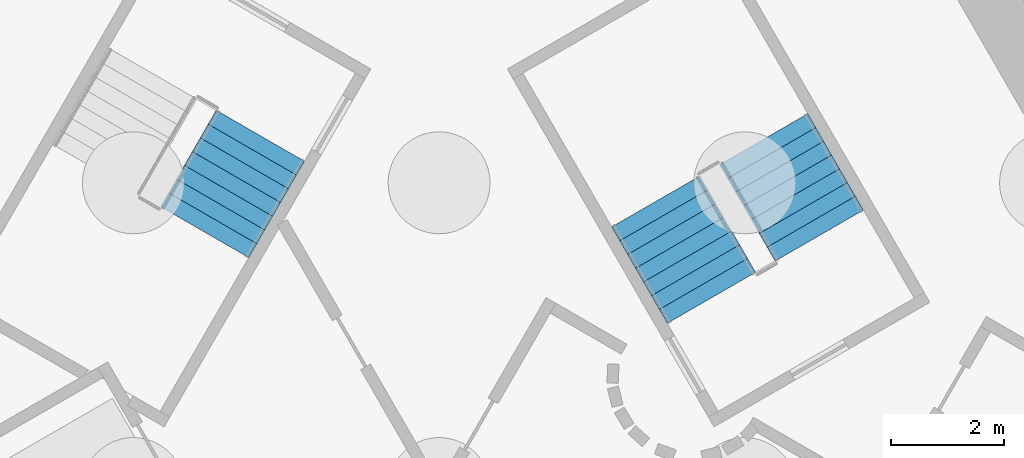
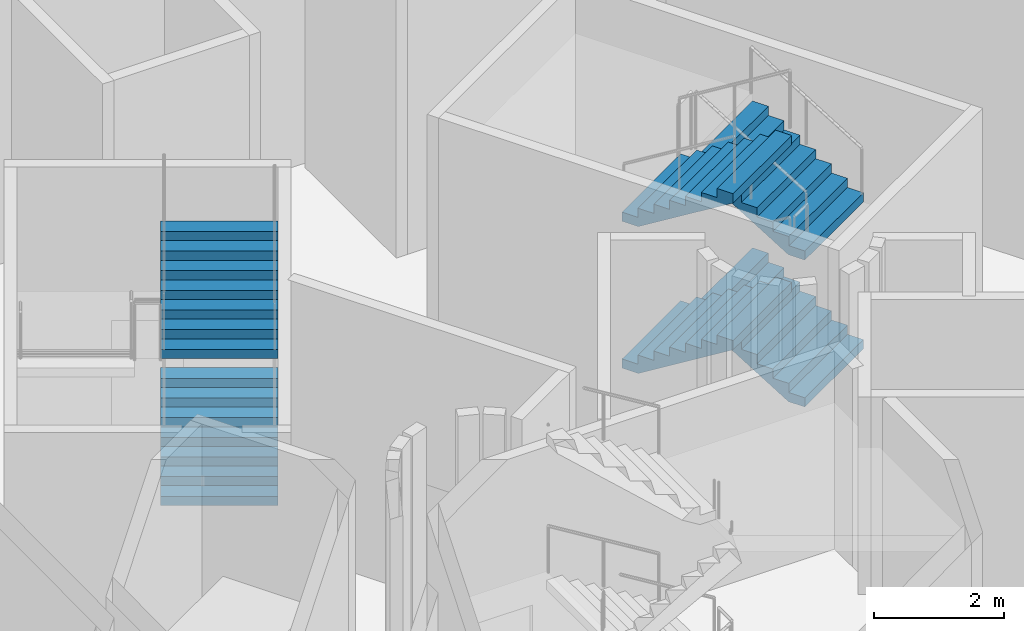
# One storey, part 12 of 14: 6 stair flights, 2 elements without a shape of their own.
"""IFC4 building model written with IfcOpenShell, lengths in metres."""

from ifc_helpers import new_model, si_unit, direction, frame, origin, place, context, subcontext, project, spatial, triangles, material, type_object, element, aggregate, save


model = new_model("IFC4")

# Units and contexts
model_context = context("Model", 3, precision=1e-05, world=origin(), true_north=direction((0.0, 1.0)))
body_context = subcontext(model_context, "Body", "Model", "MODEL_VIEW")
ifc_project = project(units=[si_unit("LENGTHUNIT", "METRE"), si_unit("AREAUNIT", "SQUARE_METRE"), si_unit("VOLUMEUNIT", "CUBIC_METRE"), si_unit("PLANEANGLEUNIT", "RADIAN"), si_unit("MASSUNIT", "GRAM", prefix="KILO")], contexts=[model_context])

# Site, building, storey
site_placement = place(None, origin())
site = spatial("IfcSite", under=ifc_project, at=site_placement, CompositionType="ELEMENT")
building_placement = place(site_placement, origin())
building = spatial("IfcBuilding", under=site, at=building_placement, Name="Entoto Arch Interchange Tower", CompositionType="ELEMENT")
storey_placement = place(building_placement, frame((0.0, 0.0, -16.5)))
storey = spatial("IfcBuildingStorey", under=building, at=storey_placement, Name="B3", CompositionType="ELEMENT", Elevation=-16.5)

# Stair, stair flights
ifc_material = material(Name="Concrete C40/50", Category="concrete")
stair_type = type_object("IfcStairType", Name="EXIT STAIR RC 1800", PredefinedType="HALF_TURN_STAIR", material=ifc_material)
stair_1_placement = place(storey_placement, origin())
stair_1 = element("IfcStair", 1, at=stair_1_placement, inside=storey, type_object=stair_type, Name="B3 Exit stair NE", PredefinedType="HALF_TURN_STAIR")
stair_flight_type = type_object("IfcStairFlightType", Name="EXIT STAIR FLIGHT RC 1800", PredefinedType="STRAIGHT", material=ifc_material)
stair_flight_1_placement = place(storey_placement, frame((6.7138671875, 4.470947265625, 0.0), z_axis=(0.0, 0.0, 1.0), x_axis=(-0.5, 0.866025403784, 0.0)))
stair_flight_1 = element("IfcStairFlight", 2, at=stair_flight_1_placement, type_object=stair_flight_type, Name="ST-NE flight 1", NumberOfRisers=8, NumberOfTreads=7, PredefinedType="STRAIGHT", RiserHeight=0.171875, TreadLength=0.28, context=body_context, shape_type="Tessellation", body=[
    triangles([(-0.003, -0.900024, 0.0), (-0.003, -0.900024, 0.171875), (0.28, -0.900024, 0.171875), (0.28, -0.900024, 0.34375), (0.56, -0.900024, 0.34375), (0.56, -0.900024, 0.515625), (0.84, -0.900024, 0.515625), (0.84, -0.900024, 0.6875), (1.12, -0.900024, 0.6875), (1.12, -0.900024, 0.859375), (1.4, -0.900024, 0.859375), (1.4, -0.900024, 1.03125), (1.68, -0.900024, 1.03125), (1.68, -0.900024, 1.203125), (1.96, -0.900024, 1.203125), (1.963, -0.900024, 1.203125), (1.963, -0.900024, 1.029076), (0.286542, -0.900024, 0.0), (-0.003, 0.900024, 0.0), (-0.003, 0.900024, 0.171875), (0.28, 0.900024, 0.171875), (0.28, 0.900024, 0.34375), (0.56, 0.900024, 0.34375), (0.56, 0.900024, 0.515625), (0.84, 0.900024, 0.515625), (0.84, 0.900024, 0.6875), (1.12, 0.900024, 0.6875), (1.12, 0.900024, 0.859375), (1.4, 0.900024, 0.859375), (1.4, 0.900024, 1.03125), (1.68, 0.900024, 1.03125), (1.68, 0.900024, 1.203125), (1.96, 0.900024, 1.203125), (1.963, 0.900024, 1.203125), (1.963, 0.900024, 1.029076), (0.286542, 0.900024, 0.0), (-0.003, -0.450012, 0.0), (-0.003, -0.450012, 0.171875), (-0.003, 0.0, 0.0), (-0.003, 0.0, 0.171875), (-0.003, 0.450012, 0.0), (-0.003, 0.450012, 0.171875), (0.28, -0.450012, 0.171875), (0.28, 0.0, 0.171875), (0.28, 0.450012, 0.171875), (0.28, -0.450012, 0.34375), (0.28, 0.0, 0.34375), (0.28, 0.450012, 0.34375), (0.56, -0.450012, 0.34375), (0.56, 0.0, 0.34375), (0.56, 0.450012, 0.34375), (0.56, -0.450012, 0.515625), (0.56, 0.0, 0.515625), (0.56, 0.450012, 0.515625), (0.84, -0.450012, 0.515625), (0.84, 0.0, 0.515625), (0.84, 0.450012, 0.515625), (0.84, -0.450012, 0.6875), (0.84, 0.0, 0.6875), (0.84, 0.450012, 0.6875), (1.12, -0.450012, 0.6875), (1.12, 0.0, 0.6875), (1.12, 0.450012, 0.6875), (1.12, -0.450012, 0.859375), (1.12, 0.0, 0.859375), (1.12, 0.450012, 0.859375), (1.4, -0.450012, 0.859375), (1.4, 0.0, 0.859375), (1.4, 0.450012, 0.859375), (1.4, -0.450012, 1.03125), (1.4, 0.0, 1.03125), (1.4, 0.450012, 1.03125), (1.68, -0.450012, 1.03125), (1.68, 0.0, 1.03125), (1.68, 0.450012, 1.03125), (1.68, -0.450012, 1.203125), (1.68, 0.0, 1.203125), (1.68, 0.450012, 1.203125), (1.96, -0.450012, 1.203125), (1.96, 0.0, 1.203125), (1.96, 0.450012, 1.203125), (1.963, -0.450012, 1.203125), (1.963, 0.0, 1.203125), (1.963, 0.450012, 1.203125), (1.963, -0.450012, 1.029076), (1.963, 0.0, 1.029076), (1.963, 0.450012, 1.029076), (0.286542, -0.450012, 0.0), (0.286542, 0.0, 0.0), (0.286542, 0.450012, 0.0)], [[1, 18, 17], [17, 16, 15], [17, 15, 14], [17, 14, 13], [17, 13, 12], [17, 12, 11], [11, 10, 9], [17, 11, 9], [9, 8, 7], [17, 9, 7], [7, 6, 5], [17, 7, 5], [5, 4, 3], [17, 5, 3], [1, 17, 3], [3, 2, 1], [19, 35, 36], [35, 33, 34], [35, 32, 33], [35, 31, 32], [35, 30, 31], [35, 29, 30], [29, 27, 28], [35, 27, 29], [27, 25, 26], [35, 25, 27], [25, 23, 24], [35, 23, 25], [23, 21, 22], [35, 21, 23], [19, 21, 35], [21, 19, 20], [1, 2, 38], [1, 38, 37], [37, 38, 40], [37, 40, 39], [39, 40, 42], [39, 42, 41], [41, 42, 20], [41, 20, 19], [2, 3, 43], [2, 43, 38], [38, 43, 44], [38, 44, 40], [40, 44, 45], [40, 45, 42], [42, 45, 21], [42, 21, 20], [3, 4, 46], [3, 46, 43], [43, 46, 47], [43, 47, 44], [44, 47, 48], [44, 48, 45], [45, 48, 22], [45, 22, 21], [4, 5, 49], [4, 49, 46], [46, 49, 50], [46, 50, 47], [47, 50, 51], [47, 51, 48], [48, 51, 23], [48, 23, 22], [5, 6, 52], [5, 52, 49], [49, 52, 53], [49, 53, 50], [50, 53, 54], [50, 54, 51], [51, 54, 24], [51, 24, 23], [6, 7, 55], [6, 55, 52], [52, 55, 56], [52, 56, 53], [53, 56, 57], [53, 57, 54], [54, 57, 25], [54, 25, 24], [7, 8, 58], [7, 58, 55], [55, 58, 59], [55, 59, 56], [56, 59, 60], [56, 60, 57], [57, 60, 26], [57, 26, 25], [8, 9, 61], [8, 61, 58], [58, 61, 62], [58, 62, 59], [59, 62, 63], [59, 63, 60], [60, 63, 27], [60, 27, 26], [9, 10, 64], [9, 64, 61], [61, 64, 65], [61, 65, 62], [62, 65, 66], [62, 66, 63], [63, 66, 28], [63, 28, 27], [10, 11, 67], [10, 67, 64], [64, 67, 68], [64, 68, 65], [65, 68, 69], [65, 69, 66], [66, 69, 29], [66, 29, 28], [11, 12, 70], [11, 70, 67], [67, 70, 71], [67, 71, 68], [68, 71, 72], [68, 72, 69], [69, 72, 30], [69, 30, 29], [12, 13, 73], [12, 73, 70], [70, 73, 74], [70, 74, 71], [71, 74, 75], [71, 75, 72], [72, 75, 31], [72, 31, 30], [13, 14, 76], [13, 76, 73], [73, 76, 77], [73, 77, 74], [74, 77, 78], [74, 78, 75], [75, 78, 32], [75, 32, 31], [14, 15, 79], [14, 79, 76], [76, 79, 80], [76, 80, 77], [77, 80, 81], [77, 81, 78], [78, 81, 33], [78, 33, 32], [15, 16, 82], [15, 82, 79], [79, 82, 83], [79, 83, 80], [80, 83, 84], [80, 84, 81], [81, 84, 34], [81, 34, 33], [16, 17, 85], [16, 85, 82], [82, 85, 86], [82, 86, 83], [83, 86, 87], [83, 87, 84], [84, 87, 35], [84, 35, 34], [17, 18, 88], [17, 88, 85], [85, 88, 89], [85, 89, 86], [86, 89, 90], [86, 90, 87], [87, 90, 36], [87, 36, 35], [18, 1, 37], [18, 37, 88], [88, 37, 39], [88, 39, 89], [89, 39, 41], [89, 41, 90], [90, 41, 19], [90, 19, 36]], closed=True),
])
stair_flight_2_placement = place(storey_placement, frame((3.82861328125, 5.068359375, 1.375), z_axis=(0.0, 0.0, 1.0), x_axis=(0.5, -0.866025403784, 0.0)))
stair_flight_2 = element("IfcStairFlight", 3, at=stair_flight_2_placement, type_object=stair_flight_type, Name="ST-NE flight 2", NumberOfRisers=8, NumberOfTreads=7, PredefinedType="STRAIGHT", RiserHeight=0.171875, TreadLength=0.28, context=body_context, shape_type="Tessellation", body=[
    triangles([(-0.003, -0.900024, 0.0), (-0.003, -0.900024, 0.171875), (0.28, -0.900024, 0.171875), (0.28, -0.900024, 0.34375), (0.56, -0.900024, 0.34375), (0.56, -0.900024, 0.515625), (0.84, -0.900024, 0.515625), (0.84, -0.900024, 0.6875), (1.12, -0.900024, 0.6875), (1.12, -0.900024, 0.859375), (1.4, -0.900024, 0.859375), (1.4, -0.900024, 1.03125), (1.68, -0.900024, 1.03125), (1.68, -0.900024, 1.203125), (1.96, -0.900024, 1.203125), (1.963, -0.900024, 1.203125), (1.963, -0.900024, 1.029076), (0.286542, -0.900024, 0.0), (-0.003, 0.900024, 0.0), (-0.003, 0.900024, 0.171875), (0.28, 0.900024, 0.171875), (0.28, 0.900024, 0.34375), (0.56, 0.900024, 0.34375), (0.56, 0.900024, 0.515625), (0.84, 0.900024, 0.515625), (0.84, 0.900024, 0.6875), (1.12, 0.900024, 0.6875), (1.12, 0.900024, 0.859375), (1.4, 0.900024, 0.859375), (1.4, 0.900024, 1.03125), (1.68, 0.900024, 1.03125), (1.68, 0.900024, 1.203125), (1.96, 0.900024, 1.203125), (1.963, 0.900024, 1.203125), (1.963, 0.900024, 1.029076), (0.286542, 0.900024, 0.0), (-0.003, -0.450012, 0.0), (-0.003, -0.450012, 0.171875), (-0.003, 0.0, 0.0), (-0.003, 0.0, 0.171875), (-0.003, 0.450012, 0.0), (-0.003, 0.450012, 0.171875), (0.28, -0.450012, 0.171875), (0.28, 0.0, 0.171875), (0.28, 0.450012, 0.171875), (0.28, -0.450012, 0.34375), (0.28, 0.0, 0.34375), (0.28, 0.450012, 0.34375), (0.56, -0.450012, 0.34375), (0.56, 0.0, 0.34375), (0.56, 0.450012, 0.34375), (0.56, -0.450012, 0.515625), (0.56, 0.0, 0.515625), (0.56, 0.450012, 0.515625), (0.84, -0.450012, 0.515625), (0.84, 0.0, 0.515625), (0.84, 0.450012, 0.515625), (0.84, -0.450012, 0.6875), (0.84, 0.0, 0.6875), (0.84, 0.450012, 0.6875), (1.12, -0.450012, 0.6875), (1.12, 0.0, 0.6875), (1.12, 0.450012, 0.6875), (1.12, -0.450012, 0.859375), (1.12, 0.0, 0.859375), (1.12, 0.450012, 0.859375), (1.4, -0.450012, 0.859375), (1.4, 0.0, 0.859375), (1.4, 0.450012, 0.859375), (1.4, -0.450012, 1.03125), (1.4, 0.0, 1.03125), (1.4, 0.450012, 1.03125), (1.68, -0.450012, 1.03125), (1.68, 0.0, 1.03125), (1.68, 0.450012, 1.03125), (1.68, -0.450012, 1.203125), (1.68, 0.0, 1.203125), (1.68, 0.450012, 1.203125), (1.96, -0.450012, 1.203125), (1.96, 0.0, 1.203125), (1.96, 0.450012, 1.203125), (1.963, -0.450012, 1.203125), (1.963, 0.0, 1.203125), (1.963, 0.450012, 1.203125), (1.963, -0.450012, 1.029076), (1.963, 0.0, 1.029076), (1.963, 0.450012, 1.029076), (0.286542, -0.450012, 0.0), (0.286542, 0.0, 0.0), (0.286542, 0.450012, 0.0)], [[1, 18, 17], [17, 16, 15], [17, 15, 14], [17, 14, 13], [17, 13, 12], [17, 12, 11], [11, 10, 9], [17, 11, 9], [9, 8, 7], [17, 9, 7], [7, 6, 5], [17, 7, 5], [5, 4, 3], [17, 5, 3], [1, 17, 3], [3, 2, 1], [19, 35, 36], [35, 33, 34], [35, 32, 33], [35, 31, 32], [35, 30, 31], [35, 29, 30], [29, 27, 28], [35, 27, 29], [27, 25, 26], [35, 25, 27], [25, 23, 24], [35, 23, 25], [23, 21, 22], [35, 21, 23], [19, 21, 35], [21, 19, 20], [1, 2, 38], [1, 38, 37], [37, 38, 40], [37, 40, 39], [39, 40, 42], [39, 42, 41], [41, 42, 20], [41, 20, 19], [2, 3, 43], [2, 43, 38], [38, 43, 44], [38, 44, 40], [40, 44, 45], [40, 45, 42], [42, 45, 21], [42, 21, 20], [3, 4, 46], [3, 46, 43], [43, 46, 47], [43, 47, 44], [44, 47, 48], [44, 48, 45], [45, 48, 22], [45, 22, 21], [4, 5, 49], [4, 49, 46], [46, 49, 50], [46, 50, 47], [47, 50, 51], [47, 51, 48], [48, 51, 23], [48, 23, 22], [5, 6, 52], [5, 52, 49], [49, 52, 53], [49, 53, 50], [50, 53, 54], [50, 54, 51], [51, 54, 24], [51, 24, 23], [6, 7, 55], [6, 55, 52], [52, 55, 56], [52, 56, 53], [53, 56, 57], [53, 57, 54], [54, 57, 25], [54, 25, 24], [7, 8, 58], [7, 58, 55], [55, 58, 59], [55, 59, 56], [56, 59, 60], [56, 60, 57], [57, 60, 26], [57, 26, 25], [8, 9, 61], [8, 61, 58], [58, 61, 62], [58, 62, 59], [59, 62, 63], [59, 63, 60], [60, 63, 27], [60, 27, 26], [9, 10, 64], [9, 64, 61], [61, 64, 65], [61, 65, 62], [62, 65, 66], [62, 66, 63], [63, 66, 28], [63, 28, 27], [10, 11, 67], [10, 67, 64], [64, 67, 68], [64, 68, 65], [65, 68, 69], [65, 69, 66], [66, 69, 29], [66, 29, 28], [11, 12, 70], [11, 70, 67], [67, 70, 71], [67, 71, 68], [68, 71, 72], [68, 72, 69], [69, 72, 30], [69, 30, 29], [12, 13, 73], [12, 73, 70], [70, 73, 74], [70, 74, 71], [71, 74, 75], [71, 75, 72], [72, 75, 31], [72, 31, 30], [13, 14, 76], [13, 76, 73], [73, 76, 77], [73, 77, 74], [74, 77, 78], [74, 78, 75], [75, 78, 32], [75, 32, 31], [14, 15, 79], [14, 79, 76], [76, 79, 80], [76, 80, 77], [77, 80, 81], [77, 81, 78], [78, 81, 33], [78, 33, 32], [15, 16, 82], [15, 82, 79], [79, 82, 83], [79, 83, 80], [80, 83, 84], [80, 84, 81], [81, 84, 34], [81, 34, 33], [16, 17, 85], [16, 85, 82], [82, 85, 86], [82, 86, 83], [83, 86, 87], [83, 87, 84], [84, 87, 35], [84, 35, 34], [17, 18, 88], [17, 88, 85], [85, 88, 89], [85, 89, 86], [86, 89, 90], [86, 90, 87], [87, 90, 36], [87, 36, 35], [18, 1, 37], [18, 37, 88], [88, 37, 39], [88, 39, 89], [89, 39, 41], [89, 41, 90], [90, 41, 19], [90, 19, 36]], closed=True),
])
stair_flight_3_placement = place(storey_placement, frame((6.7138671875, 4.470947265625, 2.75), z_axis=(0.0, 0.0, 1.0), x_axis=(-0.5, 0.866025403784, 0.0)))
stair_flight_3 = element("IfcStairFlight", 4, at=stair_flight_3_placement, type_object=stair_flight_type, Name="ST-NE flight 3", NumberOfRisers=8, NumberOfTreads=7, PredefinedType="STRAIGHT", RiserHeight=0.171875, TreadLength=0.28, context=body_context, shape_type="Tessellation", body=[
    triangles([(-0.003, -0.900024, 0.0), (-0.003, -0.900024, 0.171875), (0.28, -0.900024, 0.171875), (0.28, -0.900024, 0.34375), (0.56, -0.900024, 0.34375), (0.56, -0.900024, 0.515625), (0.84, -0.900024, 0.515625), (0.84, -0.900024, 0.6875), (1.12, -0.900024, 0.6875), (1.12, -0.900024, 0.859375), (1.4, -0.900024, 0.859375), (1.4, -0.900024, 1.03125), (1.68, -0.900024, 1.03125), (1.68, -0.900024, 1.203125), (1.96, -0.900024, 1.203125), (1.963, -0.900024, 1.203125), (1.963, -0.900024, 1.029076), (0.286542, -0.900024, 0.0), (-0.003, 0.900024, 0.0), (-0.003, 0.900024, 0.171875), (0.28, 0.900024, 0.171875), (0.28, 0.900024, 0.34375), (0.56, 0.900024, 0.34375), (0.56, 0.900024, 0.515625), (0.84, 0.900024, 0.515625), (0.84, 0.900024, 0.6875), (1.12, 0.900024, 0.6875), (1.12, 0.900024, 0.859375), (1.4, 0.900024, 0.859375), (1.4, 0.900024, 1.03125), (1.68, 0.900024, 1.03125), (1.68, 0.900024, 1.203125), (1.96, 0.900024, 1.203125), (1.963, 0.900024, 1.203125), (1.963, 0.900024, 1.029076), (0.286542, 0.900024, 0.0), (-0.003, -0.450012, 0.0), (-0.003, -0.450012, 0.171875), (-0.003, 0.0, 0.0), (-0.003, 0.0, 0.171875), (-0.003, 0.450012, 0.0), (-0.003, 0.450012, 0.171875), (0.28, -0.450012, 0.171875), (0.28, 0.0, 0.171875), (0.28, 0.450012, 0.171875), (0.28, -0.450012, 0.34375), (0.28, 0.0, 0.34375), (0.28, 0.450012, 0.34375), (0.56, -0.450012, 0.34375), (0.56, 0.0, 0.34375), (0.56, 0.450012, 0.34375), (0.56, -0.450012, 0.515625), (0.56, 0.0, 0.515625), (0.56, 0.450012, 0.515625), (0.84, -0.450012, 0.515625), (0.84, 0.0, 0.515625), (0.84, 0.450012, 0.515625), (0.84, -0.450012, 0.6875), (0.84, 0.0, 0.6875), (0.84, 0.450012, 0.6875), (1.12, -0.450012, 0.6875), (1.12, 0.0, 0.6875), (1.12, 0.450012, 0.6875), (1.12, -0.450012, 0.859375), (1.12, 0.0, 0.859375), (1.12, 0.450012, 0.859375), (1.4, -0.450012, 0.859375), (1.4, 0.0, 0.859375), (1.4, 0.450012, 0.859375), (1.4, -0.450012, 1.03125), (1.4, 0.0, 1.03125), (1.4, 0.450012, 1.03125), (1.68, -0.450012, 1.03125), (1.68, 0.0, 1.03125), (1.68, 0.450012, 1.03125), (1.68, -0.450012, 1.203125), (1.68, 0.0, 1.203125), (1.68, 0.450012, 1.203125), (1.96, -0.450012, 1.203125), (1.96, 0.0, 1.203125), (1.96, 0.450012, 1.203125), (1.963, -0.450012, 1.203125), (1.963, 0.0, 1.203125), (1.963, 0.450012, 1.203125), (1.963, -0.450012, 1.029076), (1.963, 0.0, 1.029076), (1.963, 0.450012, 1.029076), (0.286542, -0.450012, 0.0), (0.286542, 0.0, 0.0), (0.286542, 0.450012, 0.0)], [[1, 18, 17], [17, 16, 15], [17, 15, 14], [17, 14, 13], [17, 13, 12], [17, 12, 11], [11, 10, 9], [17, 11, 9], [9, 8, 7], [17, 9, 7], [7, 6, 5], [17, 7, 5], [5, 4, 3], [17, 5, 3], [1, 17, 3], [3, 2, 1], [19, 35, 36], [35, 33, 34], [35, 32, 33], [35, 31, 32], [35, 30, 31], [35, 29, 30], [29, 27, 28], [35, 27, 29], [27, 25, 26], [35, 25, 27], [25, 23, 24], [35, 23, 25], [23, 21, 22], [35, 21, 23], [19, 21, 35], [21, 19, 20], [1, 2, 38], [1, 38, 37], [37, 38, 40], [37, 40, 39], [39, 40, 42], [39, 42, 41], [41, 42, 20], [41, 20, 19], [2, 3, 43], [2, 43, 38], [38, 43, 44], [38, 44, 40], [40, 44, 45], [40, 45, 42], [42, 45, 21], [42, 21, 20], [3, 4, 46], [3, 46, 43], [43, 46, 47], [43, 47, 44], [44, 47, 48], [44, 48, 45], [45, 48, 22], [45, 22, 21], [4, 5, 49], [4, 49, 46], [46, 49, 50], [46, 50, 47], [47, 50, 51], [47, 51, 48], [48, 51, 23], [48, 23, 22], [5, 6, 52], [5, 52, 49], [49, 52, 53], [49, 53, 50], [50, 53, 54], [50, 54, 51], [51, 54, 24], [51, 24, 23], [6, 7, 55], [6, 55, 52], [52, 55, 56], [52, 56, 53], [53, 56, 57], [53, 57, 54], [54, 57, 25], [54, 25, 24], [7, 8, 58], [7, 58, 55], [55, 58, 59], [55, 59, 56], [56, 59, 60], [56, 60, 57], [57, 60, 26], [57, 26, 25], [8, 9, 61], [8, 61, 58], [58, 61, 62], [58, 62, 59], [59, 62, 63], [59, 63, 60], [60, 63, 27], [60, 27, 26], [9, 10, 64], [9, 64, 61], [61, 64, 65], [61, 65, 62], [62, 65, 66], [62, 66, 63], [63, 66, 28], [63, 28, 27], [10, 11, 67], [10, 67, 64], [64, 67, 68], [64, 68, 65], [65, 68, 69], [65, 69, 66], [66, 69, 29], [66, 29, 28], [11, 12, 70], [11, 70, 67], [67, 70, 71], [67, 71, 68], [68, 71, 72], [68, 72, 69], [69, 72, 30], [69, 30, 29], [12, 13, 73], [12, 73, 70], [70, 73, 74], [70, 74, 71], [71, 74, 75], [71, 75, 72], [72, 75, 31], [72, 31, 30], [13, 14, 76], [13, 76, 73], [73, 76, 77], [73, 77, 74], [74, 77, 78], [74, 78, 75], [75, 78, 32], [75, 32, 31], [14, 15, 79], [14, 79, 76], [76, 79, 80], [76, 80, 77], [77, 80, 81], [77, 81, 78], [78, 81, 33], [78, 33, 32], [15, 16, 82], [15, 82, 79], [79, 82, 83], [79, 83, 80], [80, 83, 84], [80, 84, 81], [81, 84, 34], [81, 34, 33], [16, 17, 85], [16, 85, 82], [82, 85, 86], [82, 86, 83], [83, 86, 87], [83, 87, 84], [84, 87, 35], [84, 35, 34], [17, 18, 88], [17, 88, 85], [85, 88, 89], [85, 89, 86], [86, 89, 90], [86, 90, 87], [87, 90, 36], [87, 36, 35], [18, 1, 37], [18, 37, 88], [88, 37, 39], [88, 39, 89], [89, 39, 41], [89, 41, 90], [90, 41, 19], [90, 19, 36]], closed=True),
])
stair_flight_4_placement = place(storey_placement, frame((3.82861328125, 5.068359375, 4.125), z_axis=(0.0, 0.0, 1.0), x_axis=(0.5, -0.866025403784, 0.0)))
stair_flight_4 = element("IfcStairFlight", 5, at=stair_flight_4_placement, type_object=stair_flight_type, Name="ST-NE flight 4", NumberOfRisers=8, NumberOfTreads=7, PredefinedType="STRAIGHT", RiserHeight=0.171875, TreadLength=0.28, context=body_context, shape_type="Tessellation", body=[
    triangles([(-0.003, -0.900024, 0.0), (-0.003, -0.900024, 0.171875), (0.28, -0.900024, 0.171875), (0.28, -0.900024, 0.34375), (0.56, -0.900024, 0.34375), (0.56, -0.900024, 0.515625), (0.84, -0.900024, 0.515625), (0.84, -0.900024, 0.6875), (1.12, -0.900024, 0.6875), (1.12, -0.900024, 0.859375), (1.4, -0.900024, 0.859375), (1.4, -0.900024, 1.03125), (1.68, -0.900024, 1.03125), (1.68, -0.900024, 1.203125), (1.96, -0.900024, 1.203125), (1.963, -0.900024, 1.203125), (1.963, -0.900024, 1.029076), (0.286542, -0.900024, 0.0), (-0.003, 0.900024, 0.0), (-0.003, 0.900024, 0.171875), (0.28, 0.900024, 0.171875), (0.28, 0.900024, 0.34375), (0.56, 0.900024, 0.34375), (0.56, 0.900024, 0.515625), (0.84, 0.900024, 0.515625), (0.84, 0.900024, 0.6875), (1.12, 0.900024, 0.6875), (1.12, 0.900024, 0.859375), (1.4, 0.900024, 0.859375), (1.4, 0.900024, 1.03125), (1.68, 0.900024, 1.03125), (1.68, 0.900024, 1.203125), (1.96, 0.900024, 1.203125), (1.963, 0.900024, 1.203125), (1.963, 0.900024, 1.029076), (0.286542, 0.900024, 0.0), (-0.003, -0.450012, 0.0), (-0.003, -0.450012, 0.171875), (-0.003, 0.0, 0.0), (-0.003, 0.0, 0.171875), (-0.003, 0.450012, 0.0), (-0.003, 0.450012, 0.171875), (0.28, -0.450012, 0.171875), (0.28, 0.0, 0.171875), (0.28, 0.450012, 0.171875), (0.28, -0.450012, 0.34375), (0.28, 0.0, 0.34375), (0.28, 0.450012, 0.34375), (0.56, -0.450012, 0.34375), (0.56, 0.0, 0.34375), (0.56, 0.450012, 0.34375), (0.56, -0.450012, 0.515625), (0.56, 0.0, 0.515625), (0.56, 0.450012, 0.515625), (0.84, -0.450012, 0.515625), (0.84, 0.0, 0.515625), (0.84, 0.450012, 0.515625), (0.84, -0.450012, 0.6875), (0.84, 0.0, 0.6875), (0.84, 0.450012, 0.6875), (1.12, -0.450012, 0.6875), (1.12, 0.0, 0.6875), (1.12, 0.450012, 0.6875), (1.12, -0.450012, 0.859375), (1.12, 0.0, 0.859375), (1.12, 0.450012, 0.859375), (1.4, -0.450012, 0.859375), (1.4, 0.0, 0.859375), (1.4, 0.450012, 0.859375), (1.4, -0.450012, 1.03125), (1.4, 0.0, 1.03125), (1.4, 0.450012, 1.03125), (1.68, -0.450012, 1.03125), (1.68, 0.0, 1.03125), (1.68, 0.450012, 1.03125), (1.68, -0.450012, 1.203125), (1.68, 0.0, 1.203125), (1.68, 0.450012, 1.203125), (1.96, -0.450012, 1.203125), (1.96, 0.0, 1.203125), (1.96, 0.450012, 1.203125), (1.963, -0.450012, 1.203125), (1.963, 0.0, 1.203125), (1.963, 0.450012, 1.203125), (1.963, -0.450012, 1.029076), (1.963, 0.0, 1.029076), (1.963, 0.450012, 1.029076), (0.286542, -0.450012, 0.0), (0.286542, 0.0, 0.0), (0.286542, 0.450012, 0.0)], [[1, 18, 17], [17, 16, 15], [17, 15, 14], [17, 14, 13], [17, 13, 12], [17, 12, 11], [11, 10, 9], [17, 11, 9], [9, 8, 7], [17, 9, 7], [7, 6, 5], [17, 7, 5], [5, 4, 3], [17, 5, 3], [1, 17, 3], [3, 2, 1], [19, 35, 36], [35, 33, 34], [35, 32, 33], [35, 31, 32], [35, 30, 31], [35, 29, 30], [29, 27, 28], [35, 27, 29], [27, 25, 26], [35, 25, 27], [25, 23, 24], [35, 23, 25], [23, 21, 22], [35, 21, 23], [19, 21, 35], [21, 19, 20], [1, 2, 38], [1, 38, 37], [37, 38, 40], [37, 40, 39], [39, 40, 42], [39, 42, 41], [41, 42, 20], [41, 20, 19], [2, 3, 43], [2, 43, 38], [38, 43, 44], [38, 44, 40], [40, 44, 45], [40, 45, 42], [42, 45, 21], [42, 21, 20], [3, 4, 46], [3, 46, 43], [43, 46, 47], [43, 47, 44], [44, 47, 48], [44, 48, 45], [45, 48, 22], [45, 22, 21], [4, 5, 49], [4, 49, 46], [46, 49, 50], [46, 50, 47], [47, 50, 51], [47, 51, 48], [48, 51, 23], [48, 23, 22], [5, 6, 52], [5, 52, 49], [49, 52, 53], [49, 53, 50], [50, 53, 54], [50, 54, 51], [51, 54, 24], [51, 24, 23], [6, 7, 55], [6, 55, 52], [52, 55, 56], [52, 56, 53], [53, 56, 57], [53, 57, 54], [54, 57, 25], [54, 25, 24], [7, 8, 58], [7, 58, 55], [55, 58, 59], [55, 59, 56], [56, 59, 60], [56, 60, 57], [57, 60, 26], [57, 26, 25], [8, 9, 61], [8, 61, 58], [58, 61, 62], [58, 62, 59], [59, 62, 63], [59, 63, 60], [60, 63, 27], [60, 27, 26], [9, 10, 64], [9, 64, 61], [61, 64, 65], [61, 65, 62], [62, 65, 66], [62, 66, 63], [63, 66, 28], [63, 28, 27], [10, 11, 67], [10, 67, 64], [64, 67, 68], [64, 68, 65], [65, 68, 69], [65, 69, 66], [66, 69, 29], [66, 29, 28], [11, 12, 70], [11, 70, 67], [67, 70, 71], [67, 71, 68], [68, 71, 72], [68, 72, 69], [69, 72, 30], [69, 30, 29], [12, 13, 73], [12, 73, 70], [70, 73, 74], [70, 74, 71], [71, 74, 75], [71, 75, 72], [72, 75, 31], [72, 31, 30], [13, 14, 76], [13, 76, 73], [73, 76, 77], [73, 77, 74], [74, 77, 78], [74, 78, 75], [75, 78, 32], [75, 32, 31], [14, 15, 79], [14, 79, 76], [76, 79, 80], [76, 80, 77], [77, 80, 81], [77, 81, 78], [78, 81, 33], [78, 33, 32], [15, 16, 82], [15, 82, 79], [79, 82, 83], [79, 83, 80], [80, 83, 84], [80, 84, 81], [81, 84, 34], [81, 34, 33], [16, 17, 85], [16, 85, 82], [82, 85, 86], [82, 86, 83], [83, 86, 87], [83, 87, 84], [84, 87, 35], [84, 35, 34], [17, 18, 88], [17, 88, 85], [85, 88, 89], [85, 89, 86], [86, 89, 90], [86, 90, 87], [87, 90, 36], [87, 36, 35], [18, 1, 37], [18, 37, 88], [88, 37, 39], [88, 39, 89], [89, 39, 41], [89, 41, 90], [90, 41, 19], [90, 19, 36]], closed=True),
])
aggregate(stair_1, [stair_flight_1, stair_flight_2, stair_flight_3, stair_flight_4])

stair_2_placement = place(storey_placement, origin())
stair_2 = element("IfcStair", 6, at=stair_2_placement, inside=storey, type_object=stair_type, Name="B3 Exit stair NW", PredefinedType="HALF_TURN_STAIR")
stair_flight_5_placement = place(storey_placement, frame((-4.138671875, 4.531494140625, 1.375), z_axis=(0.0, 0.0, 1.0), x_axis=(0.5, 0.866025403784, 0.0)))
stair_flight_5 = element("IfcStairFlight", 7, at=stair_flight_5_placement, type_object=stair_flight_type, Name="ST-NW flight 2", NumberOfRisers=8, NumberOfTreads=7, PredefinedType="STRAIGHT", RiserHeight=0.171875, TreadLength=0.28, context=body_context, shape_type="Tessellation", body=[
    triangles([(-0.003, -0.900024, 0.0), (-0.003, -0.900024, 0.171875), (0.28, -0.900024, 0.171875), (0.28, -0.900024, 0.34375), (0.56, -0.900024, 0.34375), (0.56, -0.900024, 0.515625), (0.84, -0.900024, 0.515625), (0.84, -0.900024, 0.6875), (1.12, -0.900024, 0.6875), (1.12, -0.900024, 0.859375), (1.4, -0.900024, 0.859375), (1.4, -0.900024, 1.03125), (1.68, -0.900024, 1.03125), (1.68, -0.900024, 1.203125), (1.96, -0.900024, 1.203125), (1.963, -0.900024, 1.203125), (1.963, -0.900024, 1.029076), (0.286542, -0.900024, 0.0), (-0.003, 0.900024, 0.0), (-0.003, 0.900024, 0.171875), (0.28, 0.900024, 0.171875), (0.28, 0.900024, 0.34375), (0.56, 0.900024, 0.34375), (0.56, 0.900024, 0.515625), (0.84, 0.900024, 0.515625), (0.84, 0.900024, 0.6875), (1.12, 0.900024, 0.6875), (1.12, 0.900024, 0.859375), (1.4, 0.900024, 0.859375), (1.4, 0.900024, 1.03125), (1.68, 0.900024, 1.03125), (1.68, 0.900024, 1.203125), (1.96, 0.900024, 1.203125), (1.963, 0.900024, 1.203125), (1.963, 0.900024, 1.029076), (0.286542, 0.900024, 0.0), (-0.003, -0.450012, 0.0), (-0.003, -0.450012, 0.171875), (-0.003, 0.0, 0.0), (-0.003, 0.0, 0.171875), (-0.003, 0.450012, 0.0), (-0.003, 0.450012, 0.171875), (0.28, -0.450012, 0.171875), (0.28, 0.0, 0.171875), (0.28, 0.450012, 0.171875), (0.28, -0.450012, 0.34375), (0.28, 0.0, 0.34375), (0.28, 0.450012, 0.34375), (0.56, -0.450012, 0.34375), (0.56, 0.0, 0.34375), (0.56, 0.450012, 0.34375), (0.56, -0.450012, 0.515625), (0.56, 0.0, 0.515625), (0.56, 0.450012, 0.515625), (0.84, -0.450012, 0.515625), (0.84, 0.0, 0.515625), (0.84, 0.450012, 0.515625), (0.84, -0.450012, 0.6875), (0.84, 0.0, 0.6875), (0.84, 0.450012, 0.6875), (1.12, -0.450012, 0.6875), (1.12, 0.0, 0.6875), (1.12, 0.450012, 0.6875), (1.12, -0.450012, 0.859375), (1.12, 0.0, 0.859375), (1.12, 0.450012, 0.859375), (1.4, -0.450012, 0.859375), (1.4, 0.0, 0.859375), (1.4, 0.450012, 0.859375), (1.4, -0.450012, 1.03125), (1.4, 0.0, 1.03125), (1.4, 0.450012, 1.03125), (1.68, -0.450012, 1.03125), (1.68, 0.0, 1.03125), (1.68, 0.450012, 1.03125), (1.68, -0.450012, 1.203125), (1.68, 0.0, 1.203125), (1.68, 0.450012, 1.203125), (1.96, -0.450012, 1.203125), (1.96, 0.0, 1.203125), (1.96, 0.450012, 1.203125), (1.963, -0.450012, 1.203125), (1.963, 0.0, 1.203125), (1.963, 0.450012, 1.203125), (1.963, -0.450012, 1.029076), (1.963, 0.0, 1.029076), (1.963, 0.450012, 1.029076), (0.286542, -0.450012, 0.0), (0.286542, 0.0, 0.0), (0.286542, 0.450012, 0.0)], [[1, 18, 17], [17, 16, 15], [17, 15, 14], [17, 14, 13], [17, 13, 12], [17, 12, 11], [11, 10, 9], [17, 11, 9], [9, 8, 7], [17, 9, 7], [7, 6, 5], [17, 7, 5], [5, 4, 3], [17, 5, 3], [1, 17, 3], [3, 2, 1], [19, 35, 36], [35, 33, 34], [35, 32, 33], [35, 31, 32], [35, 30, 31], [35, 29, 30], [29, 27, 28], [35, 27, 29], [27, 25, 26], [35, 25, 27], [25, 23, 24], [35, 23, 25], [23, 21, 22], [35, 21, 23], [19, 21, 35], [21, 19, 20], [1, 2, 38], [1, 38, 37], [37, 38, 40], [37, 40, 39], [39, 40, 42], [39, 42, 41], [41, 42, 20], [41, 20, 19], [2, 3, 43], [2, 43, 38], [38, 43, 44], [38, 44, 40], [40, 44, 45], [40, 45, 42], [42, 45, 21], [42, 21, 20], [3, 4, 46], [3, 46, 43], [43, 46, 47], [43, 47, 44], [44, 47, 48], [44, 48, 45], [45, 48, 22], [45, 22, 21], [4, 5, 49], [4, 49, 46], [46, 49, 50], [46, 50, 47], [47, 50, 51], [47, 51, 48], [48, 51, 23], [48, 23, 22], [5, 6, 52], [5, 52, 49], [49, 52, 53], [49, 53, 50], [50, 53, 54], [50, 54, 51], [51, 54, 24], [51, 24, 23], [6, 7, 55], [6, 55, 52], [52, 55, 56], [52, 56, 53], [53, 56, 57], [53, 57, 54], [54, 57, 25], [54, 25, 24], [7, 8, 58], [7, 58, 55], [55, 58, 59], [55, 59, 56], [56, 59, 60], [56, 60, 57], [57, 60, 26], [57, 26, 25], [8, 9, 61], [8, 61, 58], [58, 61, 62], [58, 62, 59], [59, 62, 63], [59, 63, 60], [60, 63, 27], [60, 27, 26], [9, 10, 64], [9, 64, 61], [61, 64, 65], [61, 65, 62], [62, 65, 66], [62, 66, 63], [63, 66, 28], [63, 28, 27], [10, 11, 67], [10, 67, 64], [64, 67, 68], [64, 68, 65], [65, 68, 69], [65, 69, 66], [66, 69, 29], [66, 29, 28], [11, 12, 70], [11, 70, 67], [67, 70, 71], [67, 71, 68], [68, 71, 72], [68, 72, 69], [69, 72, 30], [69, 30, 29], [12, 13, 73], [12, 73, 70], [70, 73, 74], [70, 74, 71], [71, 74, 75], [71, 75, 72], [72, 75, 31], [72, 31, 30], [13, 14, 76], [13, 76, 73], [73, 76, 77], [73, 77, 74], [74, 77, 78], [74, 78, 75], [75, 78, 32], [75, 32, 31], [14, 15, 79], [14, 79, 76], [76, 79, 80], [76, 80, 77], [77, 80, 81], [77, 81, 78], [78, 81, 33], [78, 33, 32], [15, 16, 82], [15, 82, 79], [79, 82, 83], [79, 83, 80], [80, 83, 84], [80, 84, 81], [81, 84, 34], [81, 34, 33], [16, 17, 85], [16, 85, 82], [82, 85, 86], [82, 86, 83], [83, 86, 87], [83, 87, 84], [84, 87, 35], [84, 35, 34], [17, 18, 88], [17, 88, 85], [85, 88, 89], [85, 89, 86], [86, 89, 90], [86, 90, 87], [87, 90, 36], [87, 36, 35], [18, 1, 37], [18, 37, 88], [88, 37, 39], [88, 39, 89], [89, 39, 41], [89, 41, 90], [90, 41, 19], [90, 19, 36]], closed=True),
])
stair_flight_6_placement = place(storey_placement, frame((-4.138671875, 4.531494140625, 4.125), z_axis=(0.0, 0.0, 1.0), x_axis=(0.5, 0.866025403784, 0.0)))
stair_flight_6 = element("IfcStairFlight", 8, at=stair_flight_6_placement, type_object=stair_flight_type, Name="ST-NW flight 4", NumberOfRisers=8, NumberOfTreads=7, PredefinedType="STRAIGHT", RiserHeight=0.171875, TreadLength=0.28, context=body_context, shape_type="Tessellation", body=[
    triangles([(-0.003, -0.900024, 0.0), (-0.003, -0.900024, 0.171875), (0.28, -0.900024, 0.171875), (0.28, -0.900024, 0.34375), (0.56, -0.900024, 0.34375), (0.56, -0.900024, 0.515625), (0.84, -0.900024, 0.515625), (0.84, -0.900024, 0.6875), (1.12, -0.900024, 0.6875), (1.12, -0.900024, 0.859375), (1.4, -0.900024, 0.859375), (1.4, -0.900024, 1.03125), (1.68, -0.900024, 1.03125), (1.68, -0.900024, 1.203125), (1.96, -0.900024, 1.203125), (1.963, -0.900024, 1.203125), (1.963, -0.900024, 1.029076), (0.286542, -0.900024, 0.0), (-0.003, 0.900024, 0.0), (-0.003, 0.900024, 0.171875), (0.28, 0.900024, 0.171875), (0.28, 0.900024, 0.34375), (0.56, 0.900024, 0.34375), (0.56, 0.900024, 0.515625), (0.84, 0.900024, 0.515625), (0.84, 0.900024, 0.6875), (1.12, 0.900024, 0.6875), (1.12, 0.900024, 0.859375), (1.4, 0.900024, 0.859375), (1.4, 0.900024, 1.03125), (1.68, 0.900024, 1.03125), (1.68, 0.900024, 1.203125), (1.96, 0.900024, 1.203125), (1.963, 0.900024, 1.203125), (1.963, 0.900024, 1.029076), (0.286542, 0.900024, 0.0), (-0.003, -0.450012, 0.0), (-0.003, -0.450012, 0.171875), (-0.003, 0.0, 0.0), (-0.003, 0.0, 0.171875), (-0.003, 0.450012, 0.0), (-0.003, 0.450012, 0.171875), (0.28, -0.450012, 0.171875), (0.28, 0.0, 0.171875), (0.28, 0.450012, 0.171875), (0.28, -0.450012, 0.34375), (0.28, 0.0, 0.34375), (0.28, 0.450012, 0.34375), (0.56, -0.450012, 0.34375), (0.56, 0.0, 0.34375), (0.56, 0.450012, 0.34375), (0.56, -0.450012, 0.515625), (0.56, 0.0, 0.515625), (0.56, 0.450012, 0.515625), (0.84, -0.450012, 0.515625), (0.84, 0.0, 0.515625), (0.84, 0.450012, 0.515625), (0.84, -0.450012, 0.6875), (0.84, 0.0, 0.6875), (0.84, 0.450012, 0.6875), (1.12, -0.450012, 0.6875), (1.12, 0.0, 0.6875), (1.12, 0.450012, 0.6875), (1.12, -0.450012, 0.859375), (1.12, 0.0, 0.859375), (1.12, 0.450012, 0.859375), (1.4, -0.450012, 0.859375), (1.4, 0.0, 0.859375), (1.4, 0.450012, 0.859375), (1.4, -0.450012, 1.03125), (1.4, 0.0, 1.03125), (1.4, 0.450012, 1.03125), (1.68, -0.450012, 1.03125), (1.68, 0.0, 1.03125), (1.68, 0.450012, 1.03125), (1.68, -0.450012, 1.203125), (1.68, 0.0, 1.203125), (1.68, 0.450012, 1.203125), (1.96, -0.450012, 1.203125), (1.96, 0.0, 1.203125), (1.96, 0.450012, 1.203125), (1.963, -0.450012, 1.203125), (1.963, 0.0, 1.203125), (1.963, 0.450012, 1.203125), (1.963, -0.450012, 1.029076), (1.963, 0.0, 1.029076), (1.963, 0.450012, 1.029076), (0.286542, -0.450012, 0.0), (0.286542, 0.0, 0.0), (0.286542, 0.450012, 0.0)], [[1, 18, 17], [17, 16, 15], [17, 15, 14], [17, 14, 13], [17, 13, 12], [17, 12, 11], [11, 10, 9], [17, 11, 9], [9, 8, 7], [17, 9, 7], [7, 6, 5], [17, 7, 5], [5, 4, 3], [17, 5, 3], [1, 17, 3], [3, 2, 1], [19, 35, 36], [35, 33, 34], [35, 32, 33], [35, 31, 32], [35, 30, 31], [35, 29, 30], [29, 27, 28], [35, 27, 29], [27, 25, 26], [35, 25, 27], [25, 23, 24], [35, 23, 25], [23, 21, 22], [35, 21, 23], [19, 21, 35], [21, 19, 20], [1, 2, 38], [1, 38, 37], [37, 38, 40], [37, 40, 39], [39, 40, 42], [39, 42, 41], [41, 42, 20], [41, 20, 19], [2, 3, 43], [2, 43, 38], [38, 43, 44], [38, 44, 40], [40, 44, 45], [40, 45, 42], [42, 45, 21], [42, 21, 20], [3, 4, 46], [3, 46, 43], [43, 46, 47], [43, 47, 44], [44, 47, 48], [44, 48, 45], [45, 48, 22], [45, 22, 21], [4, 5, 49], [4, 49, 46], [46, 49, 50], [46, 50, 47], [47, 50, 51], [47, 51, 48], [48, 51, 23], [48, 23, 22], [5, 6, 52], [5, 52, 49], [49, 52, 53], [49, 53, 50], [50, 53, 54], [50, 54, 51], [51, 54, 24], [51, 24, 23], [6, 7, 55], [6, 55, 52], [52, 55, 56], [52, 56, 53], [53, 56, 57], [53, 57, 54], [54, 57, 25], [54, 25, 24], [7, 8, 58], [7, 58, 55], [55, 58, 59], [55, 59, 56], [56, 59, 60], [56, 60, 57], [57, 60, 26], [57, 26, 25], [8, 9, 61], [8, 61, 58], [58, 61, 62], [58, 62, 59], [59, 62, 63], [59, 63, 60], [60, 63, 27], [60, 27, 26], [9, 10, 64], [9, 64, 61], [61, 64, 65], [61, 65, 62], [62, 65, 66], [62, 66, 63], [63, 66, 28], [63, 28, 27], [10, 11, 67], [10, 67, 64], [64, 67, 68], [64, 68, 65], [65, 68, 69], [65, 69, 66], [66, 69, 29], [66, 29, 28], [11, 12, 70], [11, 70, 67], [67, 70, 71], [67, 71, 68], [68, 71, 72], [68, 72, 69], [69, 72, 30], [69, 30, 29], [12, 13, 73], [12, 73, 70], [70, 73, 74], [70, 74, 71], [71, 74, 75], [71, 75, 72], [72, 75, 31], [72, 31, 30], [13, 14, 76], [13, 76, 73], [73, 76, 77], [73, 77, 74], [74, 77, 78], [74, 78, 75], [75, 78, 32], [75, 32, 31], [14, 15, 79], [14, 79, 76], [76, 79, 80], [76, 80, 77], [77, 80, 81], [77, 81, 78], [78, 81, 33], [78, 33, 32], [15, 16, 82], [15, 82, 79], [79, 82, 83], [79, 83, 80], [80, 83, 84], [80, 84, 81], [81, 84, 34], [81, 34, 33], [16, 17, 85], [16, 85, 82], [82, 85, 86], [82, 86, 83], [83, 86, 87], [83, 87, 84], [84, 87, 35], [84, 35, 34], [17, 18, 88], [17, 88, 85], [85, 88, 89], [85, 89, 86], [86, 89, 90], [86, 90, 87], [87, 90, 36], [87, 36, 35], [18, 1, 37], [18, 37, 88], [88, 37, 39], [88, 39, 89], [89, 39, 41], [89, 41, 90], [90, 41, 19], [90, 19, 36]], closed=True),
])
aggregate(stair_2, [stair_flight_5, stair_flight_6])

save(model, "model.ifc")
